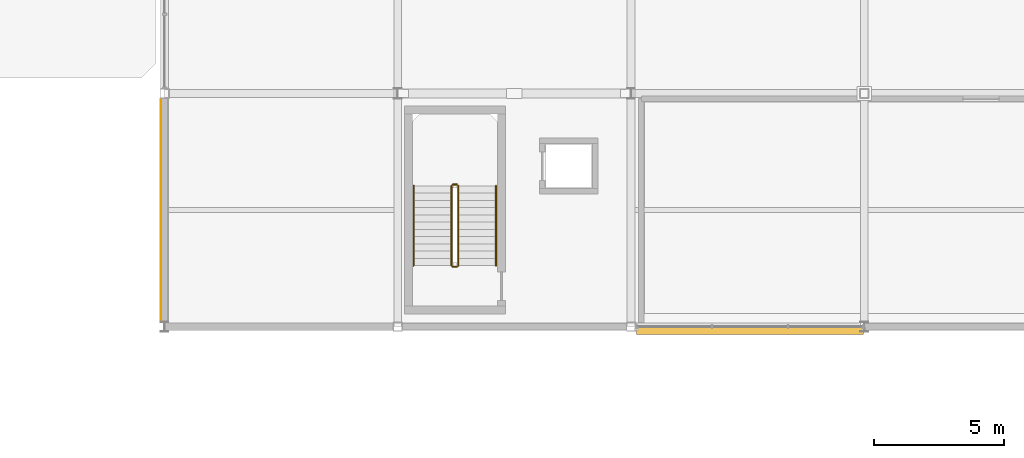
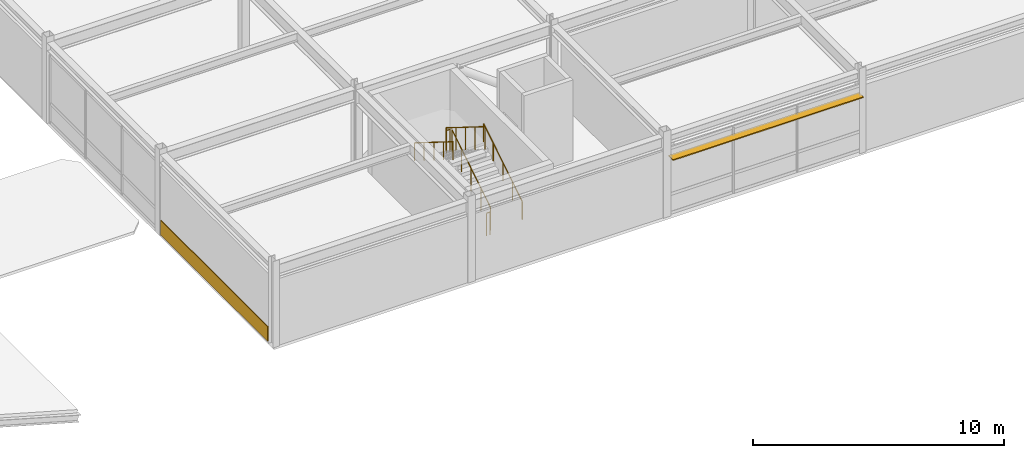
# One storey, part 35 of 40: 6 railings, 1 covering, 1 shading device.
"""IFC4 building model written with IfcOpenShell, lengths in metres."""

import ifcopenshell
import ifcopenshell.guid

model = None  # the IFC model being written
_history = None  # IfcOwnerHistory: only IFC2X3 demands one
_inside = {}  # id of a spatial element -> (the spatial element, [elements in it])
_under = {}  # id of a project, library or spatial element -> (it, [spatial elements below it])
_declared = {}  # id of a project -> (the project, [libraries it declares])
_typed = {}  # id of a type object -> (the type object, [elements of that type])
_made_of = {}  # id of a material, layer set ... -> (it, [elements and type objects made of it])


def new_model(schema):
    """Start an empty IFC model of exactly this schema.

    Asked for "IFC4X3", IfcOpenShell would pick the latest addendum, in which some entities
    have other attributes; the version numbers below select the first issue.
    IFC2X3 requires an IfcOwnerHistory on every rooted entity: one is made here for all.
    """
    global model, _history
    if schema == "IFC4X3":
        model = ifcopenshell.file(schema_version=(4, 3, 0, 0))
    else:
        model = ifcopenshell.file(schema=schema)
    _inside.clear()
    _under.clear()
    _declared.clear()
    _typed.clear()
    _made_of.clear()
    _history = None
    if model.schema == "IFC2X3":
        org = make("IfcOrganization", Name="unknown")
        user = make(
            "IfcPersonAndOrganization",
            ThePerson=make("IfcPerson", FamilyName="unknown"),
            TheOrganization=org,
        )
        app = make(
            "IfcApplication",
            ApplicationDeveloper=org,
            Version="unknown",
            ApplicationFullName="unknown",
            ApplicationIdentifier="unknown",
        )
        _history = make(
            "IfcOwnerHistory",
            OwningUser=user,
            OwningApplication=app,
            ChangeAction="ADDED",
            CreationDate=0,
        )
    return model


def make(cls, **values):
    """One entity of the class cls with the attributes given. An attribute that is None is left unset."""
    return model.create_entity(
        cls, **{name: value for name, value in values.items() if value is not None}
    )


def rooted(cls, **values):
    """An entity with a GlobalId (a new one), such as an element, a storey or a relation."""
    return make(cls, GlobalId=ifcopenshell.guid.new(), OwnerHistory=_history, **values)


def si_unit(unit_type, name, prefix=None):
    """IfcSIUnit, for example si_unit("LENGTHUNIT", "METRE", prefix="MILLI")."""
    return make("IfcSIUnit", UnitType=unit_type, Prefix=prefix, Name=name)


def assignment(units):
    """IfcUnitAssignment: the units of a project."""
    return None if units is None else make("IfcUnitAssignment", Units=units)


def point(xyz):
    """IfcCartesianPoint."""
    return None if xyz is None else make("IfcCartesianPoint", Coordinates=xyz)


def direction(xyz):
    """IfcDirection."""
    return None if xyz is None else make("IfcDirection", DirectionRatios=xyz)


def frame(location, z_axis=None, x_axis=None):
    """IfcAxis2Placement3D, a coordinate frame: its origin and axes. An axis left out is left unset."""
    return make(
        "IfcAxis2Placement3D",
        Location=point(location),
        Axis=direction(z_axis),
        RefDirection=direction(x_axis),
    )


def frame_2d(location, x_axis=None):
    """IfcAxis2Placement2D, a coordinate frame in the plane: its origin and x axis."""
    return make(
        "IfcAxis2Placement2D", Location=point(location), RefDirection=direction(x_axis)
    )


def origin():
    """The frame at (0, 0, 0) with its axes left unset."""
    return frame((0.0, 0.0, 0.0))


def origin_2d():
    """The frame at (0, 0) in the plane with its x axis left unset."""
    return frame_2d((0.0, 0.0))


def place(relative_to, where):
    """IfcLocalPlacement: puts the frame where relative to a parent placement (None: the world)."""
    return make(
        "IfcLocalPlacement", PlacementRelTo=relative_to, RelativePlacement=where
    )


def context(
    kind, dimensions, precision=None, world=None, true_north=None, identifier=None
):
    """IfcGeometricRepresentationContext, for example the 3D "Model" context."""
    return make(
        "IfcGeometricRepresentationContext",
        ContextIdentifier=identifier,
        ContextType=kind,
        CoordinateSpaceDimension=dimensions,
        Precision=precision,
        WorldCoordinateSystem=world,
        TrueNorth=true_north,
    )


def subcontext(parent, identifier, kind, view, scale=None):
    """IfcGeometricRepresentationSubContext, for example "Body" below "Model"."""
    return make(
        "IfcGeometricRepresentationSubContext",
        ContextIdentifier=identifier,
        ContextType=kind,
        ParentContext=parent,
        TargetScale=scale,
        TargetView=view,
    )


def project(units=None, contexts=None):
    """IfcProject with its units and contexts."""
    return rooted(
        "IfcProject",
        Name="project",
        RepresentationContexts=contexts,
        UnitsInContext=assignment(units),
    )


def spatial(cls, under=None, at=None, **own):
    """A site, building, storey or space (cls), placed at a placement, below another one or the project."""
    s = rooted(cls, ObjectPlacement=at, **own)
    if under is not None:
        _under.setdefault(under.id(), (under, []))[1].append(s)
    return s


def profile(cls, at=None, kind="AREA", **sizes):
    """A parametric profile (cls). Its sizes go by their IFC names, for example OverallWidth=200.0."""
    return make(cls, ProfileType=kind, Position=at, **sizes)


def rectangle(**sizes):
    """IfcRectangleProfileDef."""
    return profile("IfcRectangleProfileDef", **sizes)


def circle(**sizes):
    """IfcCircleProfileDef."""
    return profile("IfcCircleProfileDef", **sizes)


def extrude(swept, where, along, depth):
    """IfcExtrudedAreaSolid: the profile swept, set in the frame where, extruded along a direction by depth."""
    return make(
        "IfcExtrudedAreaSolid",
        SweptArea=swept,
        Position=where,
        ExtrudedDirection=direction(along),
        Depth=depth,
    )


def shape(context_of_items, identifier, shape_type, items):
    """IfcShapeRepresentation: the items that make up one representation, for example the "Body"."""
    return make(
        "IfcShapeRepresentation",
        ContextOfItems=context_of_items,
        RepresentationIdentifier=identifier,
        RepresentationType=shape_type,
        Items=items,
    )


def material(Name=None, Category=None):
    """IfcMaterial."""
    return make("IfcMaterial", Name=Name, Category=Category)


def layer(
    of_material, thickness, ventilated=None, Name=None, Category=None, Priority=None
):
    """IfcMaterialLayer: one layer of a wall or slab, of a material (None: an air gap)."""
    return make(
        "IfcMaterialLayer",
        Material=of_material,
        LayerThickness=thickness,
        IsVentilated=ventilated,
        Name=Name,
        Category=Category,
        Priority=Priority,
    )


def layer_set(layers, Name=None):
    """IfcMaterialLayerSet."""
    return make("IfcMaterialLayerSet", MaterialLayers=layers, LayerSetName=Name)


def material_profile(
    of_material, cross_section, Name=None, Category=None, Priority=None
):
    """IfcMaterialProfile: a cross section and its material."""
    return make(
        "IfcMaterialProfile",
        Name=Name,
        Material=of_material,
        Profile=cross_section,
        Priority=Priority,
        Category=Category,
    )


def profile_set(profiles, Name=None, composite=None):
    """IfcMaterialProfileSet."""
    return make(
        "IfcMaterialProfileSet",
        Name=Name,
        MaterialProfiles=profiles,
        CompositeProfile=composite,
    )


def made_of(thing, what):
    """Note that an element or type object is made of a material, layer set ...; save() writes the relation."""
    if what is not None:
        _made_of.setdefault(what.id(), (what, []))[1].append(thing)
    return thing


def type_object(cls, material=None, **own):
    """A type object (cls), such as IfcWallType, which elements share."""
    return made_of(rooted(cls, **own), material)


def element(
    cls,
    number,
    at=None,
    inside=None,
    cuts=None,
    type_object=None,
    material=None,
    context=None,
    identifier="Body",
    shape_type=None,
    held_by="IfcProductDefinitionShape",
    body=None,
    shapes=None,
    **own,
):
    """One element of the class cls, such as IfcWall. Its Tag is "e" and its number.

    at: its placement. inside: the storey or other place that contains it. cuts: it is an
    opening in that element (IfcRelVoidsElement). A single representation is given by context,
    identifier, shape_type and body (its items); several are given by shapes. held_by: the class
    of the entity that holds the representations. save() writes the other relations.
    """
    e = rooted(cls, Tag="e%d" % number, ObjectPlacement=at, **own)
    if body is not None:
        shapes = [shape(context, identifier, shape_type, body)]
    if shapes is not None:
        e.Representation = make(held_by, Representations=shapes)
    if inside is not None:
        _inside.setdefault(inside.id(), (inside, []))[1].append(e)
    if cuts is not None:
        rooted(
            "IfcRelVoidsElement", RelatingBuildingElement=cuts, RelatedOpeningElement=e
        )
    if type_object is not None:
        _typed.setdefault(type_object.id(), (type_object, []))[1].append(e)
    return made_of(e, material)


def aggregate(whole, parts):
    """IfcRelAggregates: a whole, such as a stair, and the parts it consists of."""
    return rooted("IfcRelAggregates", RelatingObject=whole, RelatedObjects=parts)


def save(model, path):
    """Write the relations noted so far, then the file.

    IfcRelAggregates (storeys below a building ...), IfcRelContainedInSpatialStructure (elements
    in a storey), IfcRelDefinesByType, IfcRelAssociatesMaterial and IfcRelDeclares: one each for
    every whole, place, type object, material and project.
    """
    for whole, parts in _under.values():
        aggregate(whole, parts)
    for where, things in _inside.values():
        rooted(
            "IfcRelContainedInSpatialStructure",
            RelatedElements=things,
            RelatingStructure=where,
        )
    for kind, things in _typed.values():
        rooted("IfcRelDefinesByType", RelatedObjects=things, RelatingType=kind)
    for what, things in _made_of.values():
        rooted("IfcRelAssociatesMaterial", RelatedObjects=things, RelatingMaterial=what)
    for by, libraries in _declared.values():
        rooted("IfcRelDeclares", RelatingContext=by, RelatedDefinitions=libraries)
    model.write(path)


model = new_model("IFC4")

# Units and contexts
model_context = context("Model", 3, precision=1e-05, world=origin(), true_north=direction((0.0, 1.0)))
body_context = subcontext(model_context, "Body", "Model", "MODEL_VIEW")
ifc_project = project(units=[si_unit("LENGTHUNIT", "METRE"), si_unit("AREAUNIT", "SQUARE_METRE"), si_unit("VOLUMEUNIT", "CUBIC_METRE"), si_unit("PLANEANGLEUNIT", "RADIAN"), si_unit("MASSUNIT", "GRAM", prefix="KILO")], contexts=[model_context])

# Site, building, storey
site_placement = place(None, origin())
site = spatial("IfcSite", under=ifc_project, at=site_placement, CompositionType="ELEMENT")
building_placement = place(site_placement, origin())
building = spatial("IfcBuilding", under=site, at=building_placement, Name="Suzunagisa Mobility Hub", CompositionType="ELEMENT")
storey_placement = place(building_placement, frame((0.0, 0.0, 21.89990234375)))
storey = spatial("IfcBuildingStorey", under=building, at=storey_placement, Name="L05", CompositionType="ELEMENT", Elevation=21.89990234375)

# Railings
ifc_material_1 = material(Name="Stainless Steel SUS304", Category="metal")
railing_type_1 = type_object("IfcRailingType", Name="Interior Well Guardrail IGR-01", PredefinedType="GUARDRAIL", material=ifc_material_1)
railing_1_placement = place(storey_placement, frame((56.330078125, 82.360107421875, 0.175048828125)))
element("IfcRailing", 1, at=railing_1_placement, inside=storey, type_object=railing_type_1, Name="L05 ST-07 stair guard 1", PredefinedType="GUARDRAIL", context=body_context, shape_type="SweptSolid", body=[
    extrude(circle(Radius=0.02392578125, at=origin_2d()), frame((0.0, 0.0, 1.09619140625), z_axis=(0.0, 0.847979421464, 0.530029150871), x_axis=(-1.0, 0.0, 0.0)), (0.0, 0.0, 1.0), 3.632080078125),
    extrude(circle(Radius=0.02099609375, at=origin_2d()), origin(), (0.0, 0.0, 1.0), 1.072021484375),
    extrude(circle(Radius=0.02099609375, at=origin_2d()), frame((0.0, 0.77001953125, 0.481201171875)), (0.0, 0.0, 1.0), 1.072021484375),
    extrude(circle(Radius=0.02099609375, at=origin_2d()), frame((0.0, 1.5400390625, 0.96240234375)), (0.0, 0.0, 1.0), 1.072021484375),
    extrude(circle(Radius=0.02099609375, at=origin_2d()), frame((0.0, 2.309814453125, 1.44384765625)), (0.0, 0.0, 1.0), 1.072021484375),
    extrude(circle(Radius=0.02099609375, at=origin_2d()), frame((0.0, 3.079833984375, 1.925048828125)), (0.0, 0.0, 1.0), 1.072021484375),
])
railing_2_placement = place(storey_placement, frame((56.280029296875, 85.489990234375, 2.10009765625)))
element("IfcRailing", 2, at=railing_2_placement, inside=storey, type_object=railing_type_1, Name="L05 ST-07 stair guard 2", PredefinedType="GUARDRAIL", context=body_context, shape_type="SweptSolid", body=[
    extrude(circle(Radius=0.02392578125, at=origin_2d()), frame((0.0, 0.0, 1.09619140625), z_axis=(-1.0, 0.0, 0.0), x_axis=(0.0, -1.0, 0.0)), (0.0, 0.0, 1.0), 0.159912109375),
    extrude(circle(Radius=0.02099609375, at=origin_2d()), origin(), (0.0, 0.0, 1.0), 1.072021484375),
    extrude(circle(Radius=0.02099609375, at=origin_2d()), frame((-0.159912109375, 0.0, 0.0)), (0.0, 0.0, 1.0), 1.072021484375),
])
railing_3_placement = place(storey_placement, frame((56.070068359375, 85.43994140625, 2.275146484375)))
element("IfcRailing", 3, at=railing_3_placement, inside=storey, type_object=railing_type_1, Name="L05 ST-07 stair guard 3", PredefinedType="GUARDRAIL", context=body_context, shape_type="SweptSolid", body=[
    extrude(circle(Radius=0.02392578125, at=origin_2d()), frame((0.0, 0.0, 1.09619140625), z_axis=(0.0, -0.847979421464, 0.530029150871), x_axis=(1.0, 0.0, 0.0)), (0.0, 0.0, 1.0), 3.632080078125),
    extrude(circle(Radius=0.02099609375, at=origin_2d()), origin(), (0.0, 0.0, 1.0), 1.072021484375),
    extrude(circle(Radius=0.02099609375, at=origin_2d()), frame((0.0, -0.77001953125, 0.481201171875)), (0.0, 0.0, 1.0), 1.072021484375),
    extrude(circle(Radius=0.02099609375, at=origin_2d()), frame((0.0, -1.5400390625, 0.96240234375)), (0.0, 0.0, 1.0), 1.072021484375),
    extrude(circle(Radius=0.02099609375, at=origin_2d()), frame((0.0, -2.309814453125, 1.44384765625)), (0.0, 0.0, 1.0), 1.072021484375),
    extrude(circle(Radius=0.02099609375, at=origin_2d()), frame((0.0, -3.079833984375, 1.925048828125)), (0.0, 0.0, 1.0), 1.072021484375),
])
railing_4_placement = place(storey_placement, frame((56.280029296875, 82.31005859375, 0.0)))
element("IfcRailing", 4, at=railing_4_placement, inside=storey, type_object=railing_type_1, Name="L05 ST-07 stair guard 4", PredefinedType="GUARDRAIL", context=body_context, shape_type="SweptSolid", body=[
    extrude(circle(Radius=0.02392578125, at=origin_2d()), frame((0.0, 0.0, 1.09619140625), z_axis=(-1.0, 0.0, 0.0), x_axis=(0.0, -1.0, 0.0)), (0.0, 0.0, 1.0), 0.159912109375),
    extrude(circle(Radius=0.02099609375, at=origin_2d()), origin(), (0.0, 0.0, 1.0), 1.072021484375),
    extrude(circle(Radius=0.02099609375, at=origin_2d()), frame((-0.159912109375, 0.0, 0.0)), (0.0, 0.0, 1.0), 1.072021484375),
])

# Covering
ifc_material_2 = material(Name="Vitreous Porcelain Enamel Aluminum Cladding", Category="aluminium")
ifc_layer = layer(ifc_material_2, 0.034912109375)
ifc_layer_set = layer_set([ifc_layer], Name="Vitreous Porcelain Enamel Aluminum Cladding")
covering_type = type_object("IfcCoveringType", Name="Porcelain Enamel Spandrel Cladding Band CLD-01", PredefinedType="CLADDING", material=ifc_layer_set)
covering_placement = place(storey_placement, frame((44.862548828125, 84.510009765625, 0.06005859375), z_axis=(0.0, 0.0, 1.0), x_axis=(0.0, -1.0, 0.0)))
element("IfcCovering", 5, at=covering_placement, inside=storey, type_object=covering_type, Name="L05 Porcelain Spandrel Cladding Band CLD-29", PredefinedType="CLADDING", context=body_context, shape_type="SweptSolid", body=[
    extrude(rectangle(XDim=8.530029296875, YDim=0.034912109375, at=origin_2d()), origin(), (0.0, 0.0, 1.0), 0.719970703125),
])

# Shading device
ifc_material_3 = material(Name="Fluoropolymer-Coated Extruded Aluminum 6063-T5", Category="aluminium")
ifc_material_profile = material_profile(ifc_material_3, rectangle(XDim=0.360107421875, YDim=0.050048828125, at=origin_2d()), Name="FIN-360x50")
ifc_profile_set = profile_set([ifc_material_profile], Name="Fluoropolymer-Coated Extruded Aluminum 6063-T5")
shading_device_type = type_object("IfcShadingDeviceType", Name="Streamline Aluminum Sunshade SF-04 FIN-360x50", PredefinedType="USERDEFINED", material=ifc_profile_set)
shading_device_placement = place(storey_placement, frame((63.205078125, 79.889892578125, 2.77001953125), z_axis=(1.0, 0.0, 0.0), x_axis=(0.0, 1.0, 0.0)))
element("IfcShadingDevice", 6, at=shading_device_placement, inside=storey, type_object=shading_device_type, Name="L05 Streamline Speed-Rail Sunshade Fin SF-28", ObjectType="SUNSHADE FIN", PredefinedType="USERDEFINED", context=body_context, shape_type="SweptSolid", body=[
    extrude(rectangle(XDim=0.360107421875, YDim=0.050048828125, at=origin_2d()), origin(), (0.0, 0.0, 1.0), 8.760498046875),
])

# Railings
railing_type_2 = type_object("IfcRailingType", Name="Tubular Stainless Stair Handrail IHR-01", PredefinedType="HANDRAIL", material=ifc_material_1)
railing_5_placement = place(storey_placement, frame((57.7900390625, 82.360107421875, 0.175048828125)))
element("IfcRailing", 7, at=railing_5_placement, inside=storey, type_object=railing_type_2, Name="L05 ST-07 stair handrail 1", PredefinedType="HANDRAIL", context=body_context, shape_type="SweptSolid", body=[
    extrude(circle(Radius=0.02392578125, at=origin_2d()), frame((0.0, 0.0, 0.8759765625), z_axis=(0.0, 0.847979421464, 0.530029150871), x_axis=(-1.0, 0.0, 0.0)), (0.0, 0.0, 1.0), 3.632080078125),
    extrude(circle(Radius=0.02099609375, at=origin_2d()), origin(), (0.0, 0.0, 1.0), 0.851806640625),
    extrude(circle(Radius=0.02099609375, at=origin_2d()), frame((0.0, 0.77001953125, 0.481201171875)), (0.0, 0.0, 1.0), 0.851806640625),
    extrude(circle(Radius=0.02099609375, at=origin_2d()), frame((0.0, 1.5400390625, 0.96240234375)), (0.0, 0.0, 1.0), 0.851806640625),
    extrude(circle(Radius=0.02099609375, at=origin_2d()), frame((0.0, 2.309814453125, 1.44384765625)), (0.0, 0.0, 1.0), 0.851806640625),
    extrude(circle(Radius=0.02099609375, at=origin_2d()), frame((0.0, 3.079833984375, 1.925048828125)), (0.0, 0.0, 1.0), 0.851806640625),
])
railing_6_placement = place(storey_placement, frame((54.610107421875, 85.43994140625, 2.275146484375)))
element("IfcRailing", 8, at=railing_6_placement, inside=storey, type_object=railing_type_2, Name="L05 ST-07 stair handrail 2", PredefinedType="HANDRAIL", context=body_context, shape_type="SweptSolid", body=[
    extrude(circle(Radius=0.02392578125, at=origin_2d()), frame((0.0, 0.0, 0.8759765625), z_axis=(0.0, -0.847979421464, 0.530029150871), x_axis=(1.0, 0.0, 0.0)), (0.0, 0.0, 1.0), 3.632080078125),
    extrude(circle(Radius=0.02099609375, at=origin_2d()), origin(), (0.0, 0.0, 1.0), 0.851806640625),
    extrude(circle(Radius=0.02099609375, at=origin_2d()), frame((0.0, -0.77001953125, 0.481201171875)), (0.0, 0.0, 1.0), 0.851806640625),
    extrude(circle(Radius=0.02099609375, at=origin_2d()), frame((0.0, -1.5400390625, 0.96240234375)), (0.0, 0.0, 1.0), 0.851806640625),
    extrude(circle(Radius=0.02099609375, at=origin_2d()), frame((0.0, -2.309814453125, 1.44384765625)), (0.0, 0.0, 1.0), 0.851806640625),
    extrude(circle(Radius=0.02099609375, at=origin_2d()), frame((0.0, -3.079833984375, 1.925048828125)), (0.0, 0.0, 1.0), 0.851806640625),
])

save(model, "model.ifc")
